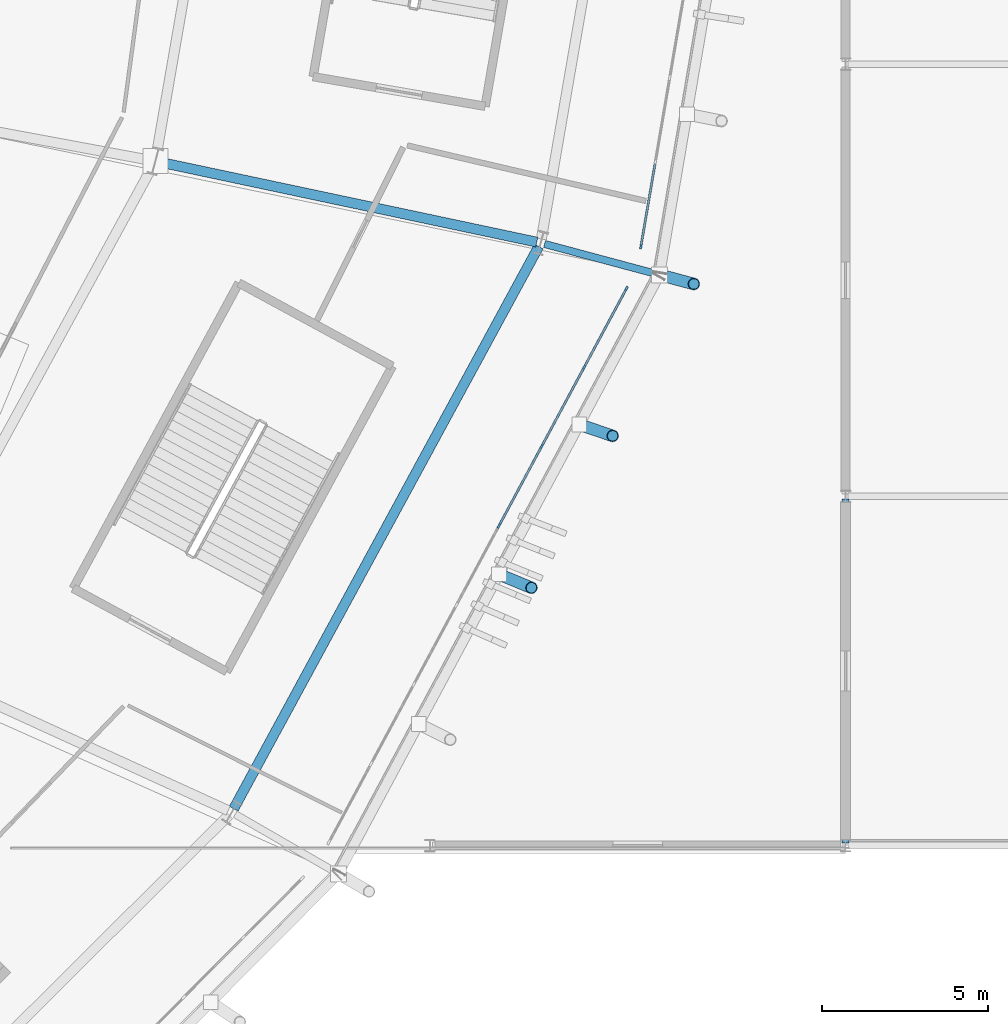
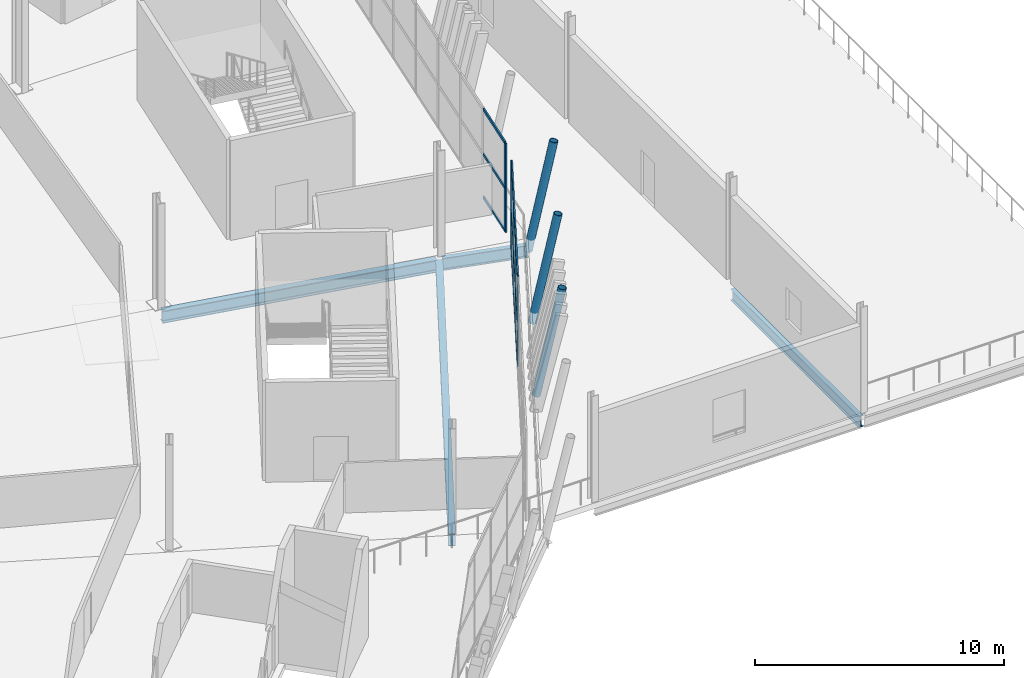
# One storey, part 56 of 168: 20 members, 4 beams, 2 elements without a shape of their own.
"""IFC4 building model written with IfcOpenShell, lengths in metres."""

import ifcopenshell
import ifcopenshell.guid

model = None  # the IFC model being written
_history = None  # IfcOwnerHistory: only IFC2X3 demands one
_inside = {}  # id of a spatial element -> (the spatial element, [elements in it])
_under = {}  # id of a project, library or spatial element -> (it, [spatial elements below it])
_declared = {}  # id of a project -> (the project, [libraries it declares])
_typed = {}  # id of a type object -> (the type object, [elements of that type])
_made_of = {}  # id of a material, layer set ... -> (it, [elements and type objects made of it])


def new_model(schema):
    """Start an empty IFC model of exactly this schema.

    Asked for "IFC4X3", IfcOpenShell would pick the latest addendum, in which some entities
    have other attributes; the version numbers below select the first issue.
    IFC2X3 requires an IfcOwnerHistory on every rooted entity: one is made here for all.
    """
    global model, _history
    if schema == "IFC4X3":
        model = ifcopenshell.file(schema_version=(4, 3, 0, 0))
    else:
        model = ifcopenshell.file(schema=schema)
    _inside.clear()
    _under.clear()
    _declared.clear()
    _typed.clear()
    _made_of.clear()
    _history = None
    if model.schema == "IFC2X3":
        org = make("IfcOrganization", Name="unknown")
        user = make(
            "IfcPersonAndOrganization",
            ThePerson=make("IfcPerson", FamilyName="unknown"),
            TheOrganization=org,
        )
        app = make(
            "IfcApplication",
            ApplicationDeveloper=org,
            Version="unknown",
            ApplicationFullName="unknown",
            ApplicationIdentifier="unknown",
        )
        _history = make(
            "IfcOwnerHistory",
            OwningUser=user,
            OwningApplication=app,
            ChangeAction="ADDED",
            CreationDate=0,
        )
    return model


def make(cls, **values):
    """One entity of the class cls with the attributes given. An attribute that is None is left unset."""
    return model.create_entity(
        cls, **{name: value for name, value in values.items() if value is not None}
    )


def rooted(cls, **values):
    """An entity with a GlobalId (a new one), such as an element, a storey or a relation."""
    return make(cls, GlobalId=ifcopenshell.guid.new(), OwnerHistory=_history, **values)


def si_unit(unit_type, name, prefix=None):
    """IfcSIUnit, for example si_unit("LENGTHUNIT", "METRE", prefix="MILLI")."""
    return make("IfcSIUnit", UnitType=unit_type, Prefix=prefix, Name=name)


def assignment(units):
    """IfcUnitAssignment: the units of a project."""
    return None if units is None else make("IfcUnitAssignment", Units=units)


def point(xyz):
    """IfcCartesianPoint."""
    return None if xyz is None else make("IfcCartesianPoint", Coordinates=xyz)


def direction(xyz):
    """IfcDirection."""
    return None if xyz is None else make("IfcDirection", DirectionRatios=xyz)


def frame(location, z_axis=None, x_axis=None):
    """IfcAxis2Placement3D, a coordinate frame: its origin and axes. An axis left out is left unset."""
    return make(
        "IfcAxis2Placement3D",
        Location=point(location),
        Axis=direction(z_axis),
        RefDirection=direction(x_axis),
    )


def frame_2d(location, x_axis=None):
    """IfcAxis2Placement2D, a coordinate frame in the plane: its origin and x axis."""
    return make(
        "IfcAxis2Placement2D", Location=point(location), RefDirection=direction(x_axis)
    )


def origin():
    """The frame at (0, 0, 0) with its axes left unset."""
    return frame((0.0, 0.0, 0.0))


def origin_2d():
    """The frame at (0, 0) in the plane with its x axis left unset."""
    return frame_2d((0.0, 0.0))


def place(relative_to, where):
    """IfcLocalPlacement: puts the frame where relative to a parent placement (None: the world)."""
    return make(
        "IfcLocalPlacement", PlacementRelTo=relative_to, RelativePlacement=where
    )


def context(
    kind, dimensions, precision=None, world=None, true_north=None, identifier=None
):
    """IfcGeometricRepresentationContext, for example the 3D "Model" context."""
    return make(
        "IfcGeometricRepresentationContext",
        ContextIdentifier=identifier,
        ContextType=kind,
        CoordinateSpaceDimension=dimensions,
        Precision=precision,
        WorldCoordinateSystem=world,
        TrueNorth=true_north,
    )


def subcontext(parent, identifier, kind, view, scale=None):
    """IfcGeometricRepresentationSubContext, for example "Body" below "Model"."""
    return make(
        "IfcGeometricRepresentationSubContext",
        ContextIdentifier=identifier,
        ContextType=kind,
        ParentContext=parent,
        TargetScale=scale,
        TargetView=view,
    )


def project(units=None, contexts=None):
    """IfcProject with its units and contexts."""
    return rooted(
        "IfcProject",
        Name="project",
        RepresentationContexts=contexts,
        UnitsInContext=assignment(units),
    )


def spatial(cls, under=None, at=None, **own):
    """A site, building, storey or space (cls), placed at a placement, below another one or the project."""
    s = rooted(cls, ObjectPlacement=at, **own)
    if under is not None:
        _under.setdefault(under.id(), (under, []))[1].append(s)
    return s


def profile(cls, at=None, kind="AREA", **sizes):
    """A parametric profile (cls). Its sizes go by their IFC names, for example OverallWidth=200.0."""
    return make(cls, ProfileType=kind, Position=at, **sizes)


def rectangle(**sizes):
    """IfcRectangleProfileDef."""
    return profile("IfcRectangleProfileDef", **sizes)


def hollow_circle(**sizes):
    """IfcCircleHollowProfileDef."""
    return profile("IfcCircleHollowProfileDef", **sizes)


def i_section(**sizes):
    """IfcIShapeProfileDef."""
    return profile("IfcIShapeProfileDef", **sizes)


def extrude(swept, where, along, depth):
    """IfcExtrudedAreaSolid: the profile swept, set in the frame where, extruded along a direction by depth."""
    return make(
        "IfcExtrudedAreaSolid",
        SweptArea=swept,
        Position=where,
        ExtrudedDirection=direction(along),
        Depth=depth,
    )


def shape(context_of_items, identifier, shape_type, items):
    """IfcShapeRepresentation: the items that make up one representation, for example the "Body"."""
    return make(
        "IfcShapeRepresentation",
        ContextOfItems=context_of_items,
        RepresentationIdentifier=identifier,
        RepresentationType=shape_type,
        Items=items,
    )


def material(Name=None, Category=None):
    """IfcMaterial."""
    return make("IfcMaterial", Name=Name, Category=Category)


def material_profile(
    of_material, cross_section, Name=None, Category=None, Priority=None
):
    """IfcMaterialProfile: a cross section and its material."""
    return make(
        "IfcMaterialProfile",
        Name=Name,
        Material=of_material,
        Profile=cross_section,
        Priority=Priority,
        Category=Category,
    )


def profile_set(profiles, Name=None, composite=None):
    """IfcMaterialProfileSet."""
    return make(
        "IfcMaterialProfileSet",
        Name=Name,
        MaterialProfiles=profiles,
        CompositeProfile=composite,
    )


def made_of(thing, what):
    """Note that an element or type object is made of a material, layer set ...; save() writes the relation."""
    if what is not None:
        _made_of.setdefault(what.id(), (what, []))[1].append(thing)
    return thing


def type_object(cls, material=None, **own):
    """A type object (cls), such as IfcWallType, which elements share."""
    return made_of(rooted(cls, **own), material)


def element(
    cls,
    number,
    at=None,
    inside=None,
    cuts=None,
    type_object=None,
    material=None,
    context=None,
    identifier="Body",
    shape_type=None,
    held_by="IfcProductDefinitionShape",
    body=None,
    shapes=None,
    **own,
):
    """One element of the class cls, such as IfcWall. Its Tag is "e" and its number.

    at: its placement. inside: the storey or other place that contains it. cuts: it is an
    opening in that element (IfcRelVoidsElement). A single representation is given by context,
    identifier, shape_type and body (its items); several are given by shapes. held_by: the class
    of the entity that holds the representations. save() writes the other relations.
    """
    e = rooted(cls, Tag="e%d" % number, ObjectPlacement=at, **own)
    if body is not None:
        shapes = [shape(context, identifier, shape_type, body)]
    if shapes is not None:
        e.Representation = make(held_by, Representations=shapes)
    if inside is not None:
        _inside.setdefault(inside.id(), (inside, []))[1].append(e)
    if cuts is not None:
        rooted(
            "IfcRelVoidsElement", RelatingBuildingElement=cuts, RelatedOpeningElement=e
        )
    if type_object is not None:
        _typed.setdefault(type_object.id(), (type_object, []))[1].append(e)
    return made_of(e, material)


def aggregate(whole, parts):
    """IfcRelAggregates: a whole, such as a stair, and the parts it consists of."""
    return rooted("IfcRelAggregates", RelatingObject=whole, RelatedObjects=parts)


def save(model, path):
    """Write the relations noted so far, then the file.

    IfcRelAggregates (storeys below a building ...), IfcRelContainedInSpatialStructure (elements
    in a storey), IfcRelDefinesByType, IfcRelAssociatesMaterial and IfcRelDeclares: one each for
    every whole, place, type object, material and project.
    """
    for whole, parts in _under.values():
        aggregate(whole, parts)
    for where, things in _inside.values():
        rooted(
            "IfcRelContainedInSpatialStructure",
            RelatedElements=things,
            RelatingStructure=where,
        )
    for kind, things in _typed.values():
        rooted("IfcRelDefinesByType", RelatedObjects=things, RelatingType=kind)
    for what, things in _made_of.values():
        rooted("IfcRelAssociatesMaterial", RelatedObjects=things, RelatingMaterial=what)
    for by, libraries in _declared.values():
        rooted("IfcRelDeclares", RelatingContext=by, RelatedDefinitions=libraries)
    model.write(path)


model = new_model("IFC4")

# Units and contexts
model_context = context("Model", 3, precision=1e-05, world=origin(), true_north=direction((0.0, 1.0)))
body_context = subcontext(model_context, "Body", "Model", "MODEL_VIEW")
ifc_project = project(units=[si_unit("LENGTHUNIT", "METRE"), si_unit("AREAUNIT", "SQUARE_METRE"), si_unit("VOLUMEUNIT", "CUBIC_METRE"), si_unit("PLANEANGLEUNIT", "RADIAN"), si_unit("MASSUNIT", "GRAM", prefix="KILO")], contexts=[model_context])

# Site, building, storey
site_placement = place(None, origin())
site = spatial("IfcSite", under=ifc_project, at=site_placement, CompositionType="ELEMENT")
building_placement = place(site_placement, origin())
building = spatial("IfcBuilding", under=site, at=building_placement, Name="Zlatoyarsky Gate Stadium", CompositionType="ELEMENT")
storey_placement = place(building_placement, frame((0.0, 0.0, 15.60009765625)))
storey = spatial("IfcBuildingStorey", under=building, at=storey_placement, Name="L03", CompositionType="ELEMENT", Elevation=15.60009765625)

# Curtain wall, members
ifc_material_1 = material(Name="Thermally broken anodised aluminium curtain wall", Category="aluminium")
curtain_wall_type = type_object("IfcCurtainWallType", Name="UNITISED CORPORATE BOX GLAZING L03", PredefinedType="USERDEFINED", material=ifc_material_1)
curtain_wall_1_placement = place(storey_placement, origin())
curtain_wall_1 = element("IfcCurtainWall", 1, at=curtain_wall_1_placement, inside=storey, type_object=curtain_wall_type, Name="Curtain wall CW-L03-22", ObjectType="UNITISED GLAZING", PredefinedType="USERDEFINED")
ifc_material_2 = material(Name="Anodised aluminium 6063-T6", Category="aluminium")
ifc_material_profile_1 = material_profile(ifc_material_2, rectangle(XDim=0.06494140625, YDim=0.159912109375, at=origin_2d()), Name="ALU 65X160")
ifc_profile_set_1 = profile_set([ifc_material_profile_1], Name="Anodised aluminium 6063-T6")
member_type_1 = type_object("IfcMemberType", Name="ALUMINIUM MULLION 65X160", PredefinedType="MULLION", material=ifc_profile_set_1)
member_1_placement = place(storey_placement, frame((199.57666015625, 53.115966796875, 0.0), z_axis=(0.0, 0.0, 1.0), x_axis=(-0.880877202392, 0.473344857694, 0.0)))
member_1 = element("IfcMember", 2, at=member_1_placement, type_object=member_type_1, Name="CW-UG3 mullion 5", PredefinedType="MULLION", context=body_context, shape_type="SweptSolid", body=[
    extrude(rectangle(XDim=0.06494140625, YDim=0.159912109375, at=origin_2d()), origin(), (0.0, 0.0, 1.0), 4.3798828125),
])
member_2_placement = place(storey_placement, frame((200.85888671875, 55.501953125, 0.0), z_axis=(0.0, 0.0, 1.0), x_axis=(-0.880877202392, 0.473344857694, 0.0)))
member_2 = element("IfcMember", 3, at=member_2_placement, type_object=member_type_1, Name="CW-UG3 mullion 6", PredefinedType="MULLION", context=body_context, shape_type="SweptSolid", body=[
    extrude(rectangle(XDim=0.06494140625, YDim=0.159912109375, at=origin_2d()), origin(), (0.0, 0.0, 1.0), 4.3798828125),
])
member_3_placement = place(storey_placement, frame((202.14111328125, 57.88818359375, 0.0), z_axis=(0.0, 0.0, 1.0), x_axis=(-0.880877202392, 0.473344857694, 0.0)))
member_3 = element("IfcMember", 4, at=member_3_placement, type_object=member_type_1, Name="CW-UG3 mullion 7", PredefinedType="MULLION", context=body_context, shape_type="SweptSolid", body=[
    extrude(rectangle(XDim=0.06494140625, YDim=0.159912109375, at=origin_2d()), origin(), (0.0, 0.0, 1.0), 4.3798828125),
])
member_4_placement = place(storey_placement, frame((203.407958984375, 60.24560546875, 0.0), z_axis=(0.0, 0.0, 1.0), x_axis=(-0.880877202392, 0.473344857694, 0.0)))
member_4 = element("IfcMember", 5, at=member_4_placement, type_object=member_type_1, Name="CW-UG3 mullion 8", PredefinedType="MULLION", context=body_context, shape_type="SweptSolid", body=[
    extrude(rectangle(XDim=0.06494140625, YDim=0.159912109375, at=origin_2d()), origin(), (0.0, 0.0, 1.0), 4.3798828125),
])

# Curtain wall, member
curtain_wall_2_placement = place(storey_placement, origin())
curtain_wall_2 = element("IfcCurtainWall", 6, at=curtain_wall_2_placement, inside=storey, type_object=curtain_wall_type, Name="Curtain wall CW-L03-23", ObjectType="UNITISED GLAZING", PredefinedType="USERDEFINED")
member_5_placement = place(storey_placement, frame((203.845947265625, 61.51953125, 0.0), z_axis=(0.0, 0.0, 1.0), x_axis=(-0.985726202408, 0.168356330104, 0.0)))
member_5 = element("IfcMember", 7, at=member_5_placement, type_object=member_type_1, Name="CW-UG3 mullion 1", PredefinedType="MULLION", context=body_context, shape_type="SweptSolid", body=[
    extrude(rectangle(XDim=0.06494140625, YDim=0.159912109375, at=origin_2d()), origin(), (0.0, 0.0, 1.0), 4.3798828125),
])

# Member
ifc_material_profile_2 = material_profile(ifc_material_2, rectangle(XDim=0.06494140625, YDim=0.139892578125, at=origin_2d()), Name="ALU 65X140")
ifc_profile_set_2 = profile_set([ifc_material_profile_2], Name="Anodised aluminium 6063-T6")
member_type_2 = type_object("IfcMemberType", Name="ALUMINIUM TRANSOM 65X140", PredefinedType="USERDEFINED", material=ifc_profile_set_2)
member_6_placement = place(storey_placement, frame((199.592041015625, 53.14453125, 0.032470703125), z_axis=(0.473356241073, 0.880871085368, 0.0), x_axis=(-0.880871085368, 0.473356241073, 0.0)))
member_6 = element("IfcMember", 8, at=member_6_placement, type_object=member_type_2, Name="CW-UG3 transom 5.1", ObjectType="TRANSOM", PredefinedType="USERDEFINED", context=body_context, shape_type="SweptSolid", body=[
    extrude(rectangle(XDim=0.06494140625, YDim=0.139892578125, at=origin_2d()), origin(), (0.0, 0.0, 1.0), 2.643798828125),
])

member_7_placement = place(storey_placement, frame((199.592041015625, 53.14453125, 2.14990234375), z_axis=(0.473356241073, 0.880871085368, 0.0), x_axis=(-0.880871085368, 0.473356241073, 0.0)))
member_7 = element("IfcMember", 9, at=member_7_placement, type_object=member_type_2, Name="CW-UG3 transom 5.2", ObjectType="TRANSOM", PredefinedType="USERDEFINED", context=body_context, shape_type="SweptSolid", body=[
    extrude(rectangle(XDim=0.06494140625, YDim=0.139892578125, at=origin_2d()), origin(), (0.0, 0.0, 1.0), 2.643798828125),
])

member_8_placement = place(storey_placement, frame((199.592041015625, 53.14453125, 4.347412109375), z_axis=(0.473356241073, 0.880871085368, 0.0), x_axis=(-0.880871085368, 0.473356241073, 0.0)))
member_8 = element("IfcMember", 10, at=member_8_placement, type_object=member_type_2, Name="CW-UG3 transom 5.3", ObjectType="TRANSOM", PredefinedType="USERDEFINED", context=body_context, shape_type="SweptSolid", body=[
    extrude(rectangle(XDim=0.06494140625, YDim=0.139892578125, at=origin_2d()), origin(), (0.0, 0.0, 1.0), 2.643798828125),
])

member_9_placement = place(storey_placement, frame((200.874267578125, 55.530517578125, 0.032470703125), z_axis=(0.473356241073, 0.880871085368, 0.0), x_axis=(-0.880871085368, 0.473356241073, 0.0)))
member_9 = element("IfcMember", 11, at=member_9_placement, type_object=member_type_2, Name="CW-UG3 transom 6.1", ObjectType="TRANSOM", PredefinedType="USERDEFINED", context=body_context, shape_type="SweptSolid", body=[
    extrude(rectangle(XDim=0.06494140625, YDim=0.139892578125, at=origin_2d()), origin(), (0.0, 0.0, 1.0), 2.643798828125),
])

member_10_placement = place(storey_placement, frame((200.874267578125, 55.530517578125, 2.14990234375), z_axis=(0.473356241073, 0.880871085368, 0.0), x_axis=(-0.880871085368, 0.473356241073, 0.0)))
member_10 = element("IfcMember", 12, at=member_10_placement, type_object=member_type_2, Name="CW-UG3 transom 6.2", ObjectType="TRANSOM", PredefinedType="USERDEFINED", context=body_context, shape_type="SweptSolid", body=[
    extrude(rectangle(XDim=0.06494140625, YDim=0.139892578125, at=origin_2d()), origin(), (0.0, 0.0, 1.0), 2.643798828125),
])

member_11_placement = place(storey_placement, frame((200.874267578125, 55.530517578125, 4.347412109375), z_axis=(0.473356241073, 0.880871085368, 0.0), x_axis=(-0.880871085368, 0.473356241073, 0.0)))
member_11 = element("IfcMember", 13, at=member_11_placement, type_object=member_type_2, Name="CW-UG3 transom 6.3", ObjectType="TRANSOM", PredefinedType="USERDEFINED", context=body_context, shape_type="SweptSolid", body=[
    extrude(rectangle(XDim=0.06494140625, YDim=0.139892578125, at=origin_2d()), origin(), (0.0, 0.0, 1.0), 2.643798828125),
])

member_12_placement = place(storey_placement, frame((202.156494140625, 57.916748046875, 0.032470703125), z_axis=(0.473347001092, 0.880876050621, 0.0), x_axis=(-0.880876050621, 0.473347001092, 0.0)))
member_12 = element("IfcMember", 14, at=member_12_placement, type_object=member_type_2, Name="CW-UG3 transom 7.1", ObjectType="TRANSOM", PredefinedType="USERDEFINED", context=body_context, shape_type="SweptSolid", body=[
    extrude(rectangle(XDim=0.06494140625, YDim=0.139892578125, at=origin_2d()), origin(), (0.0, 0.0, 1.0), 2.611328125),
])

member_13_placement = place(storey_placement, frame((202.156494140625, 57.916748046875, 2.14990234375), z_axis=(0.473347001092, 0.880876050621, 0.0), x_axis=(-0.880876050621, 0.473347001092, 0.0)))
member_13 = element("IfcMember", 15, at=member_13_placement, type_object=member_type_2, Name="CW-UG3 transom 7.2", ObjectType="TRANSOM", PredefinedType="USERDEFINED", context=body_context, shape_type="SweptSolid", body=[
    extrude(rectangle(XDim=0.06494140625, YDim=0.139892578125, at=origin_2d()), origin(), (0.0, 0.0, 1.0), 2.611328125),
])

member_14_placement = place(storey_placement, frame((202.156494140625, 57.916748046875, 4.347412109375), z_axis=(0.473347001092, 0.880876050621, 0.0), x_axis=(-0.880876050621, 0.473347001092, 0.0)))
member_14 = element("IfcMember", 16, at=member_14_placement, type_object=member_type_2, Name="CW-UG3 transom 7.3", ObjectType="TRANSOM", PredefinedType="USERDEFINED", context=body_context, shape_type="SweptSolid", body=[
    extrude(rectangle(XDim=0.06494140625, YDim=0.139892578125, at=origin_2d()), origin(), (0.0, 0.0, 1.0), 2.611328125),
])

aggregate(curtain_wall_1, [member_1, member_2, member_3, member_4, member_6, member_7, member_8, member_9, member_10, member_11, member_12, member_13, member_14])

member_15_placement = place(storey_placement, frame((203.851318359375, 61.551513671875, 0.032470703125), z_axis=(0.168368421293, 0.985724137227, 0.0), x_axis=(-0.985724137227, 0.168368421293, 0.0)))
member_15 = element("IfcMember", 17, at=member_15_placement, type_object=member_type_2, Name="CW-UG3 transom 1.1", ObjectType="TRANSOM", PredefinedType="USERDEFINED", context=body_context, shape_type="SweptSolid", body=[
    extrude(rectangle(XDim=0.06494140625, YDim=0.139892578125, at=origin_2d()), origin(), (0.0, 0.0, 1.0), 2.49267578125),
])

member_16_placement = place(storey_placement, frame((203.851318359375, 61.551513671875, 2.14990234375), z_axis=(0.168368421293, 0.985724137227, 0.0), x_axis=(-0.985724137227, 0.168368421293, 0.0)))
member_16 = element("IfcMember", 18, at=member_16_placement, type_object=member_type_2, Name="CW-UG3 transom 1.2", ObjectType="TRANSOM", PredefinedType="USERDEFINED", context=body_context, shape_type="SweptSolid", body=[
    extrude(rectangle(XDim=0.06494140625, YDim=0.139892578125, at=origin_2d()), origin(), (0.0, 0.0, 1.0), 2.49267578125),
])

member_17_placement = place(storey_placement, frame((203.851318359375, 61.551513671875, 4.347412109375), z_axis=(0.168368421293, 0.985724137227, 0.0), x_axis=(-0.985724137227, 0.168368421293, 0.0)))
member_17 = element("IfcMember", 19, at=member_17_placement, type_object=member_type_2, Name="CW-UG3 transom 1.3", ObjectType="TRANSOM", PredefinedType="USERDEFINED", context=body_context, shape_type="SweptSolid", body=[
    extrude(rectangle(XDim=0.06494140625, YDim=0.139892578125, at=origin_2d()), origin(), (0.0, 0.0, 1.0), 2.49267578125),
])

aggregate(curtain_wall_2, [member_5, member_15, member_16, member_17])

# Beams
ifc_material_3 = material(Name="Steel S355", Category="steel")
ifc_material_profile_3 = material_profile(ifc_material_3, i_section(OverallWidth=0.219970703125, OverallDepth=0.60009765625, WebThickness=0.011962890625, FlangeThickness=0.01904296875, FilletRadius=0.02392578125, at=origin_2d()), Name="IPE 600")
ifc_profile_set_3 = profile_set([ifc_material_profile_3], Name="Steel S355")
beam_type_1 = type_object("IfcBeamType", Name="STEEL CANTILEVER FLOOR BEAM IPE 600", PredefinedType="BEAM", material=ifc_profile_set_3)
beam_1_placement = place(storey_placement, frame((200.947021484375, 61.5927734375, -0.580078125), z_axis=(0.965919758856, -0.258841688008, 0.0), x_axis=(0.258841688008, 0.965919758856, 0.0)))
element("IfcBeam", 20, at=beam_1_placement, inside=storey, type_object=beam_type_1, Name="Beam B-IPE600 BM-L03-OUT-23", PredefinedType="BEAM", context=body_context, shape_type="SweptSolid", body=[
    extrude(i_section(OverallWidth=0.219970703125, OverallDepth=0.60009765625, WebThickness=0.011962890625, FlangeThickness=0.01904296875, FilletRadius=0.02392578125, at=origin_2d()), origin(), (0.0, 0.0, 1.0), 3.582275390625),
])
ifc_material_profile_4 = material_profile(ifc_material_3, i_section(OverallWidth=0.2099609375, OverallDepth=0.550048828125, WebThickness=0.010986328125, FlangeThickness=0.01708984375, FilletRadius=0.02392578125, at=origin_2d()), Name="IPE 550")
ifc_profile_set_4 = profile_set([ifc_material_profile_4], Name="Steel S355")
beam_type_2 = type_object("IfcBeamType", Name="STEEL FLOOR BEAM IPE 550", PredefinedType="BEAM", material=ifc_profile_set_4)
beam_2_placement = place(storey_placement, frame((210.0, 43.580078125, -0.59521484375), z_axis=(0.0, 1.0, 0.0), x_axis=(-1.0, 0.0, 0.0)))
element("IfcBeam", 21, at=beam_2_placement, inside=storey, type_object=beam_type_2, Name="Beam B-IPE550 BM-L03-WGY-18-E", PredefinedType="BEAM", context=body_context, shape_type="SweptSolid", body=[
    extrude(i_section(OverallWidth=0.2099609375, OverallDepth=0.550048828125, WebThickness=0.010986328125, FlangeThickness=0.01708984375, FilletRadius=0.02392578125, at=origin_2d()), origin(), (0.0, 0.0, 1.0), 10.33984375),
])

# Members
ifc_material_profile_5 = material_profile(ifc_material_3, hollow_circle(Radius=0.177734375, WallThickness=0.02001953125, at=origin_2d()), Name="CHS 355.6X20")
ifc_profile_set_5 = profile_set([ifc_material_profile_5], Name="Steel S355")
member_type_3 = type_object("IfcMemberType", Name="STEEL LEANING RIB RING STRUT CHS 355.6X20", PredefinedType="STRUT", material=ifc_profile_set_5)
member_18_placement = place(storey_placement, frame((204.4072265625, 60.66552734375, -0.580078125), z_axis=(0.19494308955, -0.052209480057, 0.979423995024), x_axis=(0.258701784688, 0.965957238494, 0.0)))
element("IfcMember", 22, at=member_18_placement, inside=storey, type_object=member_type_3, Name="Leaning ring strut 23 L03 to L04", PredefinedType="STRUT", context=body_context, shape_type="SweptSolid", body=[
    extrude(hollow_circle(Radius=0.177734375, WallThickness=0.02001953125, at=origin_2d()), origin(), (0.0, 0.0, 1.0), 5.288818359375),
])
member_19_placement = place(storey_placement, frame((199.576904296875, 51.6572265625, -0.530029296875), z_axis=(0.184942906373, -0.076609308782, 0.97975871274), x_axis=(0.382698137168, 0.923873441445, 0.0)))
element("IfcMember", 23, at=member_19_placement, inside=storey, type_object=member_type_3, Name="Outward-leaning bowl louvre fin rib L03 22-2", PredefinedType="STRUT", context=body_context, shape_type="SweptSolid", body=[
    extrude(hollow_circle(Radius=0.177734375, WallThickness=0.02001953125, at=origin_2d()), origin(), (0.0, 0.0, 1.0), 5.286865234375),
])
member_20_placement = place(storey_placement, frame((201.9921875, 56.161376953125, -0.530029296875), z_axis=(0.189915858303, -0.064413474917, 0.979685087676), x_axis=(0.32119679025, 0.947012471899, 0.0)))
element("IfcMember", 24, at=member_20_placement, inside=storey, type_object=member_type_3, Name="Outward-leaning bowl louvre fin rib L03 22-3", PredefinedType="STRUT", context=body_context, shape_type="SweptSolid", body=[
    extrude(hollow_circle(Radius=0.177734375, WallThickness=0.02001953125, at=origin_2d()), origin(), (0.0, 0.0, 1.0), 5.287353515625),
])

# Beams
ifc_material_profile_6 = material_profile(ifc_material_3, i_section(OverallWidth=0.300048828125, OverallDepth=0.60009765625, WebThickness=0.015380859375, FlangeThickness=0.030029296875, FilletRadius=0.027099609375, at=origin_2d()), Name="HEB 600")
ifc_profile_set_6 = profile_set([ifc_material_profile_6], Name="Steel S355")
beam_type_3 = type_object("IfcBeamType", Name="STEEL PRIMARY GIRDER HEB 600", PredefinedType="BEAM", material=ifc_profile_set_6)
beam_3_placement = place(storey_placement, frame((191.59765625, 44.60546875, -0.580078125), z_axis=(0.476891650323, 0.878962088973, 0.0), x_axis=(-0.878962088973, 0.476891650323, 0.0)))
element("IfcBeam", 25, at=beam_3_placement, inside=storey, type_object=beam_type_3, Name="Beam G-HEB600 BM-L03-CRC-22", PredefinedType="BEAM", context=body_context, shape_type="SweptSolid", body=[
    extrude(i_section(OverallWidth=0.300048828125, OverallDepth=0.60009765625, WebThickness=0.015380859375, FlangeThickness=0.030029296875, FilletRadius=0.027099609375, at=origin_2d()), origin(), (0.0, 0.0, 1.0), 19.241943359375),
])
beam_4_placement = place(storey_placement, frame((189.357421875, 64.0576171875, -0.580078125), z_axis=(0.978233348926, -0.207507867438, 0.0), x_axis=(0.207507867438, 0.978233348926, 0.0)))
element("IfcBeam", 26, at=beam_4_placement, inside=storey, type_object=beam_type_3, Name="Beam G-HEB600 BM-L03-RBC-23", PredefinedType="BEAM", context=body_context, shape_type="SweptSolid", body=[
    extrude(i_section(OverallWidth=0.300048828125, OverallDepth=0.60009765625, WebThickness=0.015380859375, FlangeThickness=0.030029296875, FilletRadius=0.027099609375, at=origin_2d()), origin(), (0.0, 0.0, 1.0), 11.60888671875),
])

save(model, "model.ifc")
